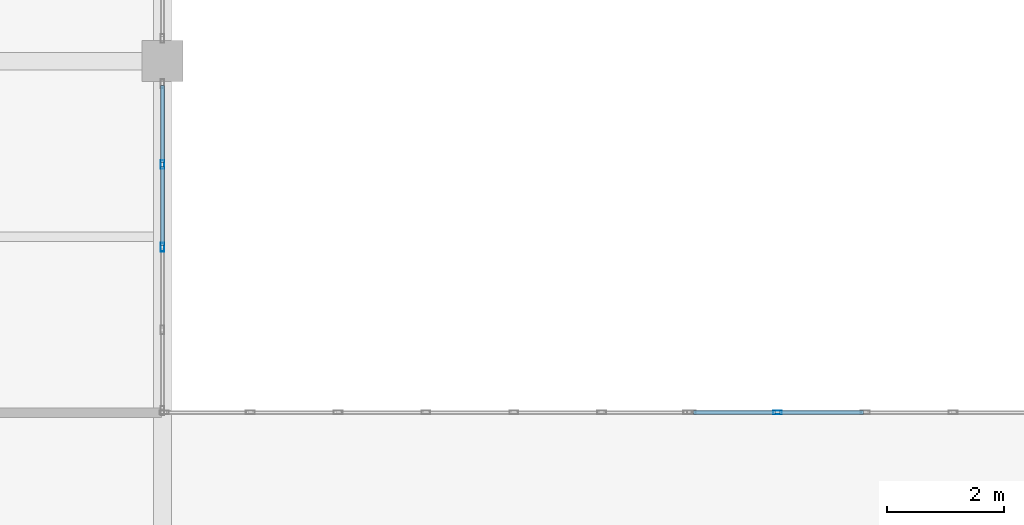
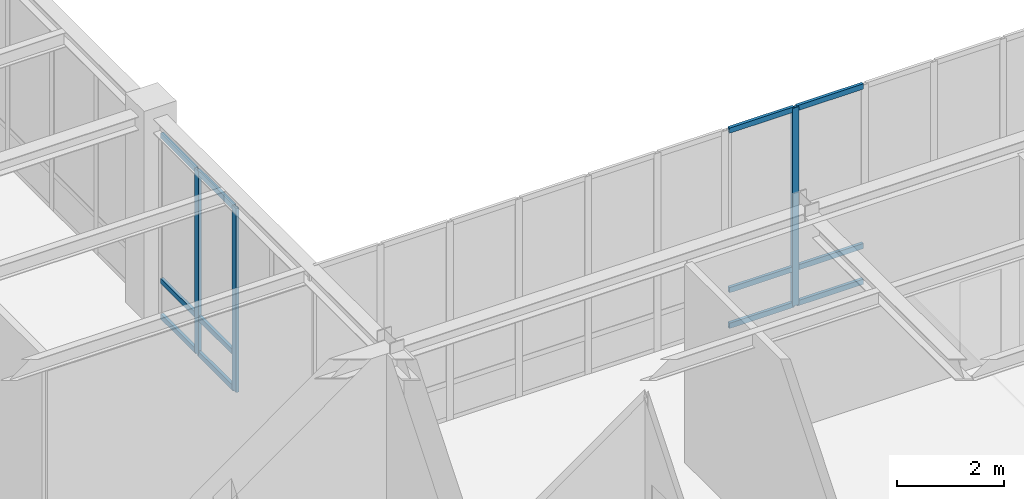
# One storey, part 16 of 98: 15 members, 2 elements without a shape of their own.
"""IFC4 building model written with IfcOpenShell, lengths in metres."""

from ifc_helpers import new_model, si_unit, direction, frame, origin, origin_2d, place, context, subcontext, project, spatial, hollow_rectangle, extrude, material, material_profile, profile_set, type_object, element, aggregate, save


model = new_model("IFC4")

# Units and contexts
model_context = context("Model", 3, precision=1e-05, world=origin(), true_north=direction((0.0, 1.0)))
body_context = subcontext(model_context, "Body", "Model", "MODEL_VIEW")
ifc_project = project(units=[si_unit("LENGTHUNIT", "METRE"), si_unit("AREAUNIT", "SQUARE_METRE"), si_unit("VOLUMEUNIT", "CUBIC_METRE"), si_unit("PLANEANGLEUNIT", "RADIAN"), si_unit("MASSUNIT", "GRAM", prefix="KILO")], contexts=[model_context])

# Site, building, storey
site_placement = place(None, origin())
site = spatial("IfcSite", under=ifc_project, at=site_placement, CompositionType="ELEMENT")
building_placement = place(site_placement, origin())
building = spatial("IfcBuilding", under=site, at=building_placement, Name="Lykobir Media Centre", CompositionType="ELEMENT")
storey_placement = place(building_placement, frame((0.0, 0.0, 10.199951171875)))
storey = spatial("IfcBuildingStorey", under=building, at=storey_placement, Name="L02", CompositionType="ELEMENT", Elevation=10.199951171875)

# Curtain wall, member
ifc_material = material(Name="Anodized Aluminium AW-6060", Category="aluminium")
curtain_wall_type = type_object("IfcCurtainWallType", Name="CW-COURT-A", PredefinedType="NOTDEFINED", material=ifc_material)
curtain_wall_1_placement = place(storey_placement, origin())
curtain_wall_1 = element("IfcCurtainWall", 1, at=curtain_wall_1_placement, inside=storey, type_object=curtain_wall_type, Name="Curtain wall CW2-L02-0074", PredefinedType="NOTDEFINED")
ifc_material_profile_1 = material_profile(ifc_material, hollow_rectangle(XDim=0.06494140625, YDim=0.14990234375, WallThickness=0.00341796875, at=origin_2d()), Name="ALU MULLION 65x150")
ifc_profile_set_1 = profile_set([ifc_material_profile_1], Name="Anodized Aluminium AW-6060")
member_type_1 = type_object("IfcMemberType", Name="CWM-150", PredefinedType="MULLION", material=ifc_profile_set_1)
member_1_placement = place(storey_placement, frame((46.5, 21.0, 0.0), z_axis=(0.0, 0.0, 1.0), x_axis=(0.0, 1.0, 0.0)))
member_1 = element("IfcMember", 2, at=member_1_placement, type_object=member_type_1, Name="CW2-L02-0074 mullion 2", PredefinedType="MULLION", context=body_context, shape_type="SweptSolid", body=[
    extrude(hollow_rectangle(XDim=0.06494140625, YDim=0.14990234375, WallThickness=0.00341796875, at=origin_2d()), origin(), (0.0, 0.0, 1.0), 4.5400390625),
])

# Curtain wall, members
curtain_wall_2_placement = place(storey_placement, origin())
curtain_wall_2 = element("IfcCurtainWall", 3, at=curtain_wall_2_placement, inside=storey, type_object=curtain_wall_type, Name="Curtain wall CW2-L02-0077", PredefinedType="NOTDEFINED")
member_2_placement = place(storey_placement, frame((36.0, 25.23388671875, 0.0), z_axis=(0.0, 0.0, 1.0), x_axis=(1.0, 0.0, 0.0)))
member_2 = element("IfcMember", 4, at=member_2_placement, type_object=member_type_1, Name="CW2-L02-0077 mullion 2", PredefinedType="MULLION", context=body_context, shape_type="SweptSolid", body=[
    extrude(hollow_rectangle(XDim=0.06494140625, YDim=0.14990234375, WallThickness=0.00341796875, at=origin_2d()), origin(), (0.0, 0.0, 1.0), 4.215087890625),
])
member_3_placement = place(storey_placement, frame((36.0, 23.822509765625, 0.0), z_axis=(0.0, 0.0, 1.0), x_axis=(1.0, 0.0, 0.0)))
member_3 = element("IfcMember", 5, at=member_3_placement, type_object=member_type_1, Name="CW2-L02-0077 mullion 3", PredefinedType="MULLION", context=body_context, shape_type="SweptSolid", body=[
    extrude(hollow_rectangle(XDim=0.06494140625, YDim=0.14990234375, WallThickness=0.00341796875, at=origin_2d()), origin(), (0.0, 0.0, 1.0), 4.215087890625),
])

# Member
ifc_material_profile_2 = material_profile(ifc_material, hollow_rectangle(XDim=0.06494140625, YDim=0.1201171875, WallThickness=0.0029296875, at=origin_2d()), Name="ALU TRANSOM 65x120")
ifc_profile_set_2 = profile_set([ifc_material_profile_2], Name="Anodized Aluminium AW-6060")
member_type_2 = type_object("IfcMemberType", Name="CWT-120", PredefinedType="USERDEFINED", material=ifc_profile_set_2)
member_4_placement = place(storey_placement, frame((45.06494140625, 21.0, 0.032470703125), z_axis=(1.0, 0.0, 0.0), x_axis=(0.0, 1.0, 0.0)))
member_4 = element("IfcMember", 6, at=member_4_placement, type_object=member_type_2, Name="CW2-L02-0074 transom 1.1", ObjectType="TRANSOM", PredefinedType="USERDEFINED", context=body_context, shape_type="SweptSolid", body=[
    extrude(hollow_rectangle(XDim=0.06494140625, YDim=0.1201171875, WallThickness=0.0029296875, at=origin_2d()), origin(), (0.0, 0.0, 1.0), 1.402587890625),
])

member_5_placement = place(storey_placement, frame((45.06494140625, 21.0, 0.85009765625), z_axis=(1.0, 0.0, 0.0), x_axis=(0.0, 1.0, 0.0)))
member_5 = element("IfcMember", 7, at=member_5_placement, type_object=member_type_2, Name="CW2-L02-0074 transom 1.2", ObjectType="TRANSOM", PredefinedType="USERDEFINED", context=body_context, shape_type="SweptSolid", body=[
    extrude(hollow_rectangle(XDim=0.06494140625, YDim=0.1201171875, WallThickness=0.0029296875, at=origin_2d()), origin(), (0.0, 0.0, 1.0), 1.402587890625),
])

member_6_placement = place(storey_placement, frame((45.06494140625, 21.0, 4.507568359375), z_axis=(1.0, 0.0, 0.0), x_axis=(0.0, 1.0, 0.0)))
member_6 = element("IfcMember", 8, at=member_6_placement, type_object=member_type_2, Name="CW2-L02-0074 transom 1.3", ObjectType="TRANSOM", PredefinedType="USERDEFINED", context=body_context, shape_type="SweptSolid", body=[
    extrude(hollow_rectangle(XDim=0.06494140625, YDim=0.1201171875, WallThickness=0.0029296875, at=origin_2d()), origin(), (0.0, 0.0, 1.0), 1.402587890625),
])

member_7_placement = place(storey_placement, frame((46.532470703125, 21.0, 0.032470703125), z_axis=(1.0, 0.0, 0.0), x_axis=(0.0, 1.0, 0.0)))
member_7 = element("IfcMember", 9, at=member_7_placement, type_object=member_type_2, Name="CW2-L02-0074 transom 2.1", ObjectType="TRANSOM", PredefinedType="USERDEFINED", context=body_context, shape_type="SweptSolid", body=[
    extrude(hollow_rectangle(XDim=0.06494140625, YDim=0.1201171875, WallThickness=0.0029296875, at=origin_2d()), origin(), (0.0, 0.0, 1.0), 1.43505859375),
])

member_8_placement = place(storey_placement, frame((46.532470703125, 21.0, 0.85009765625), z_axis=(1.0, 0.0, 0.0), x_axis=(0.0, 1.0, 0.0)))
member_8 = element("IfcMember", 10, at=member_8_placement, type_object=member_type_2, Name="CW2-L02-0074 transom 2.2", ObjectType="TRANSOM", PredefinedType="USERDEFINED", context=body_context, shape_type="SweptSolid", body=[
    extrude(hollow_rectangle(XDim=0.06494140625, YDim=0.1201171875, WallThickness=0.0029296875, at=origin_2d()), origin(), (0.0, 0.0, 1.0), 1.43505859375),
])

member_9_placement = place(storey_placement, frame((46.532470703125, 21.0, 4.507568359375), z_axis=(1.0, 0.0, 0.0), x_axis=(0.0, 1.0, 0.0)))
member_9 = element("IfcMember", 11, at=member_9_placement, type_object=member_type_2, Name="CW2-L02-0074 transom 2.3", ObjectType="TRANSOM", PredefinedType="USERDEFINED", context=body_context, shape_type="SweptSolid", body=[
    extrude(hollow_rectangle(XDim=0.06494140625, YDim=0.1201171875, WallThickness=0.0029296875, at=origin_2d()), origin(), (0.0, 0.0, 1.0), 1.43505859375),
])

aggregate(curtain_wall_1, [member_1, member_4, member_5, member_6, member_7, member_8, member_9])

member_10_placement = place(storey_placement, frame((36.0, 26.580078125, 0.032470703125), z_axis=(0.0, -1.0, 0.0), x_axis=(1.0, 0.0, 0.0)))
member_10 = element("IfcMember", 12, at=member_10_placement, type_object=member_type_2, Name="CW2-L02-0077 transom 1.1", ObjectType="TRANSOM", PredefinedType="USERDEFINED", context=body_context, shape_type="SweptSolid", body=[
    extrude(hollow_rectangle(XDim=0.06494140625, YDim=0.1201171875, WallThickness=0.0029296875, at=origin_2d()), origin(), (0.0, 0.0, 1.0), 1.31396484375),
])

member_11_placement = place(storey_placement, frame((36.0, 26.580078125, 0.85009765625), z_axis=(0.0, -1.0, 0.0), x_axis=(1.0, 0.0, 0.0)))
member_11 = element("IfcMember", 13, at=member_11_placement, type_object=member_type_2, Name="CW2-L02-0077 transom 1.2", ObjectType="TRANSOM", PredefinedType="USERDEFINED", context=body_context, shape_type="SweptSolid", body=[
    extrude(hollow_rectangle(XDim=0.06494140625, YDim=0.1201171875, WallThickness=0.0029296875, at=origin_2d()), origin(), (0.0, 0.0, 1.0), 1.31396484375),
])

member_12_placement = place(storey_placement, frame((36.0, 26.580078125, 4.1826171875), z_axis=(0.0, -1.0, 0.0), x_axis=(1.0, 0.0, 0.0)))
member_12 = element("IfcMember", 14, at=member_12_placement, type_object=member_type_2, Name="CW2-L02-0077 transom 1.3", ObjectType="TRANSOM", PredefinedType="USERDEFINED", context=body_context, shape_type="SweptSolid", body=[
    extrude(hollow_rectangle(XDim=0.06494140625, YDim=0.1201171875, WallThickness=0.0029296875, at=origin_2d()), origin(), (0.0, 0.0, 1.0), 1.31396484375),
])

member_13_placement = place(storey_placement, frame((36.0, 25.201171875, 0.032470703125), z_axis=(0.0, -1.0, 0.0), x_axis=(1.0, 0.0, 0.0)))
member_13 = element("IfcMember", 15, at=member_13_placement, type_object=member_type_2, Name="CW2-L02-0077 transom 2.1", ObjectType="TRANSOM", PredefinedType="USERDEFINED", context=body_context, shape_type="SweptSolid", body=[
    extrude(hollow_rectangle(XDim=0.06494140625, YDim=0.1201171875, WallThickness=0.0029296875, at=origin_2d()), origin(), (0.0, 0.0, 1.0), 1.34619140625),
])

member_14_placement = place(storey_placement, frame((36.0, 25.201171875, 0.85009765625), z_axis=(0.0, -1.0, 0.0), x_axis=(1.0, 0.0, 0.0)))
member_14 = element("IfcMember", 16, at=member_14_placement, type_object=member_type_2, Name="CW2-L02-0077 transom 2.2", ObjectType="TRANSOM", PredefinedType="USERDEFINED", context=body_context, shape_type="SweptSolid", body=[
    extrude(hollow_rectangle(XDim=0.06494140625, YDim=0.1201171875, WallThickness=0.0029296875, at=origin_2d()), origin(), (0.0, 0.0, 1.0), 1.34619140625),
])

member_15_placement = place(storey_placement, frame((36.0, 25.201171875, 4.1826171875), z_axis=(0.0, -1.0, 0.0), x_axis=(1.0, 0.0, 0.0)))
member_15 = element("IfcMember", 17, at=member_15_placement, type_object=member_type_2, Name="CW2-L02-0077 transom 2.3", ObjectType="TRANSOM", PredefinedType="USERDEFINED", context=body_context, shape_type="SweptSolid", body=[
    extrude(hollow_rectangle(XDim=0.06494140625, YDim=0.1201171875, WallThickness=0.0029296875, at=origin_2d()), origin(), (0.0, 0.0, 1.0), 1.34619140625),
])

aggregate(curtain_wall_2, [member_2, member_3, member_10, member_11, member_12, member_13, member_14, member_15])

save(model, "model.ifc")
